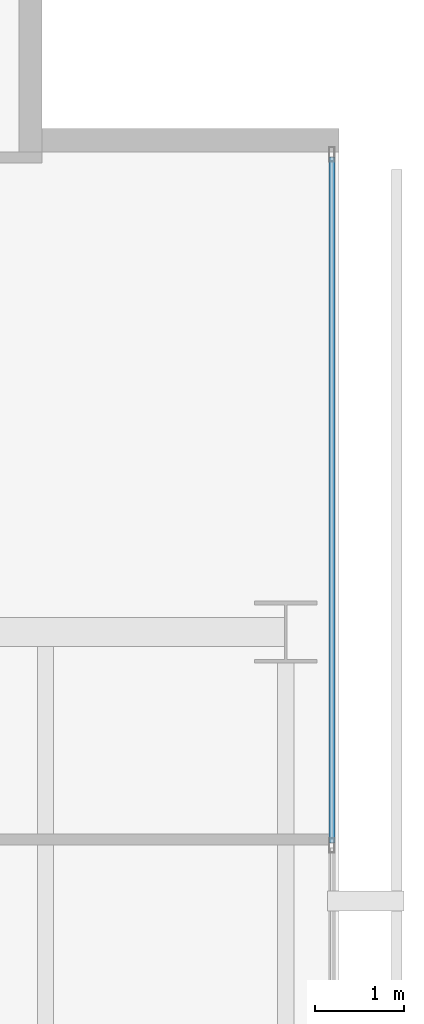
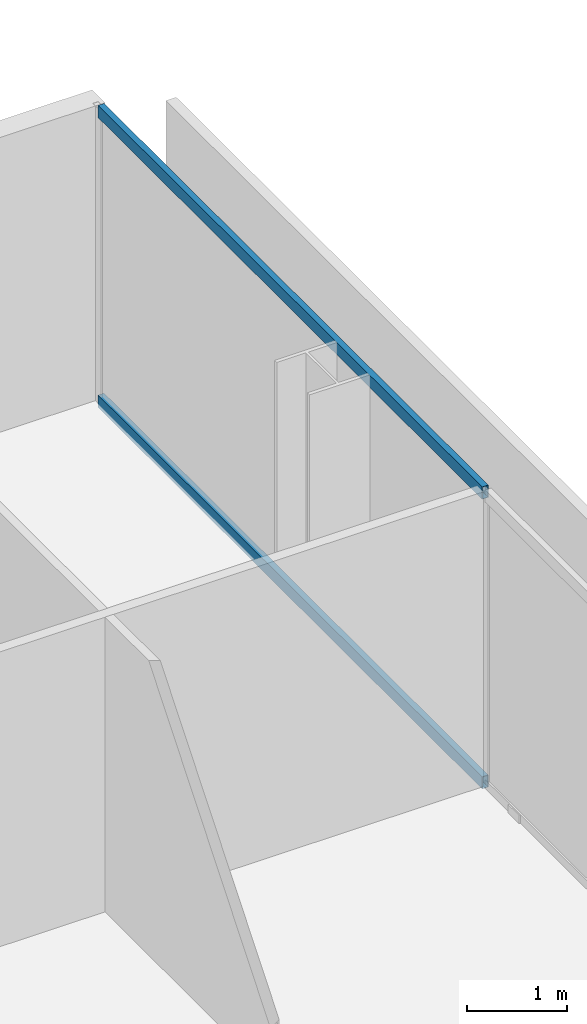
# One storey, part 29 of 40: 2 members, 1 element without a shape of its own.
"""IFC4 building model written with IfcOpenShell, lengths in metres."""

from ifc_helpers import new_model, si_unit, direction, frame, origin, origin_2d, place, context, subcontext, project, spatial, hollow_rectangle, extrude, material, layer, layer_set, material_profile, profile_set, type_object, element, aggregate, save


model = new_model("IFC4")

# Units and contexts
model_context = context("Model", 3, precision=1e-05, world=origin(), true_north=direction((0.0, 1.0)))
body_context = subcontext(model_context, "Body", "Model", "MODEL_VIEW")
ifc_project = project(units=[si_unit("LENGTHUNIT", "METRE"), si_unit("AREAUNIT", "SQUARE_METRE"), si_unit("VOLUMEUNIT", "CUBIC_METRE"), si_unit("PLANEANGLEUNIT", "RADIAN"), si_unit("MASSUNIT", "GRAM", prefix="KILO")], contexts=[model_context])

# Site, building, storey
site_placement = place(None, origin())
site = spatial("IfcSite", under=ifc_project, at=site_placement, CompositionType="ELEMENT")
building_placement = place(site_placement, origin())
building = spatial("IfcBuilding", under=site, at=building_placement, Name="Maruvema Waterfront Hotel and Observation Tower", CompositionType="ELEMENT")
storey_placement = place(building_placement, frame((0.0, 0.0, 30.800048828125)))
storey = spatial("IfcBuildingStorey", under=building, at=storey_placement, Name="L06", CompositionType="ELEMENT", Elevation=30.800048828125)

# Curtain wall, members
ifc_material_1 = material(Name="Anodised bronze aluminium and solar-control low-E IGU", Category="aluminium")
ifc_layer = layer(ifc_material_1, 0.159912109375, Name="Zone 1 Bronze Inner Thermal Curtain Wall System CW-02")
ifc_layer_set = layer_set([ifc_layer], Name="Anodised bronze aluminium and solar-control low-E IGU")
curtain_wall_type = type_object("IfcCurtainWallType", Name="Zone 1 Bronze Inner Thermal Curtain Wall System CW-02", PredefinedType="USERDEFINED", material=ifc_layer_set)
curtain_wall_placement = place(storey_placement, origin())
curtain_wall = element("IfcCurtainWall", 1, at=curtain_wall_placement, inside=storey, type_object=curtain_wall_type, Name="L06 Curtain Wall CW-L06-E", ObjectType="UNITISED CURTAIN WALL", PredefinedType="USERDEFINED")
ifc_material_2 = material(Name="Anodised architectural bronze aluminium", Category="aluminium")
ifc_material_profile = material_profile(ifc_material_2, hollow_rectangle(XDim=0.070068359375, YDim=0.14990234375, WallThickness=0.00390625, at=origin_2d()), Name="ALU-T70x150")
ifc_profile_set = profile_set([ifc_material_profile], Name="Anodised architectural bronze aluminium")
member_type = type_object("IfcMemberType", Name="Curtain Wall Horizontal Transom ALU-T70x150", PredefinedType="USERDEFINED", material=ifc_profile_set)
member_1_placement = place(storey_placement, frame((64.719970703125, 42.6298828125, 0.030029296875), z_axis=(0.0, 1.0, 0.0), x_axis=(-1.0, 0.0, 0.0)))
member_1 = element("IfcMember", 2, at=member_1_placement, type_object=member_type, Name="CW-02 transom 6.1", ObjectType="TRANSOM", PredefinedType="USERDEFINED", context=body_context, shape_type="SweptSolid", body=[
    extrude(hollow_rectangle(XDim=0.070068359375, YDim=0.14990234375, WallThickness=0.00390625, at=origin_2d()), origin(), (0.0, 0.0, 1.0), 7.710205078125),
])
member_2_placement = place(storey_placement, frame((64.719970703125, 42.6298828125, 3.579833984375), z_axis=(0.0, 1.0, 0.0), x_axis=(-1.0, 0.0, 0.0)))
member_2 = element("IfcMember", 3, at=member_2_placement, type_object=member_type, Name="CW-02 transom 6.2", ObjectType="TRANSOM", PredefinedType="USERDEFINED", context=body_context, shape_type="SweptSolid", body=[
    extrude(hollow_rectangle(XDim=0.070068359375, YDim=0.14990234375, WallThickness=0.00390625, at=origin_2d()), origin(), (0.0, 0.0, 1.0), 7.710205078125),
])
aggregate(curtain_wall, [member_1, member_2])

save(model, "model.ifc")
